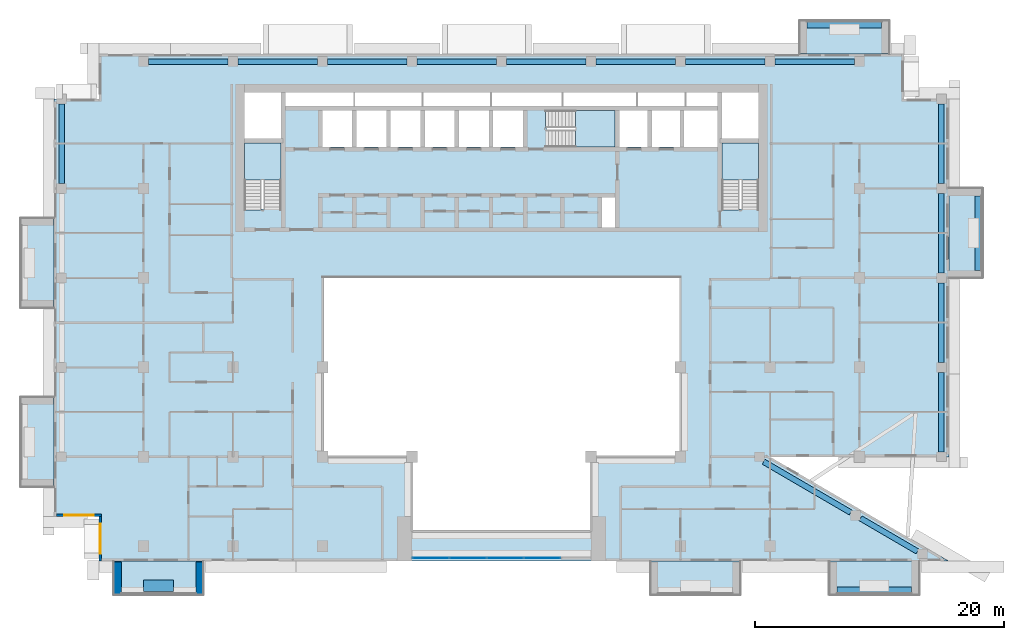
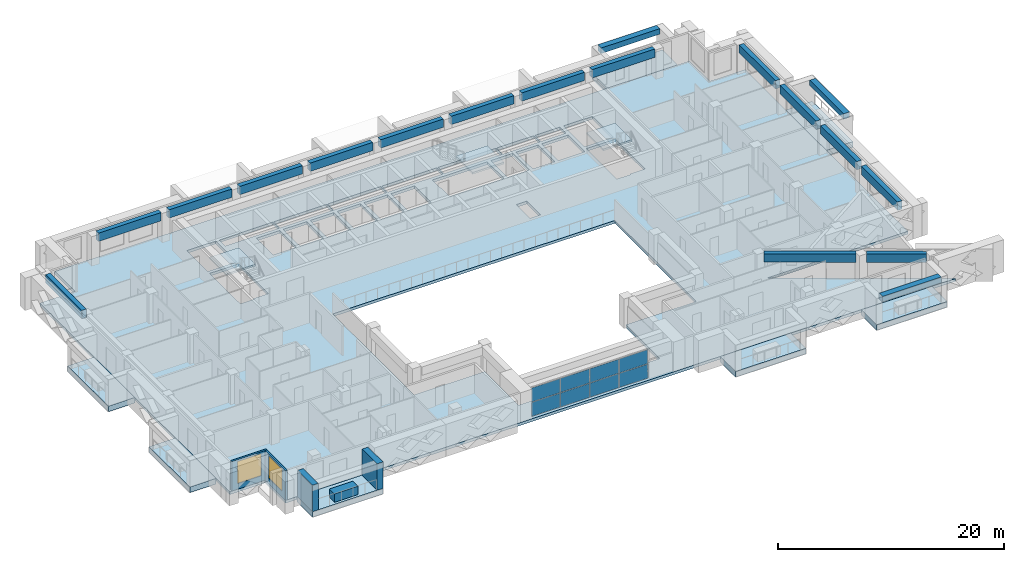
# One storey, part 5 of 20: 18 beams, 11 slabs, 8 plates, 5 walls, 2 windows, 2 openings, 4 elements without a shape of their own.
"""IFC4 building model written with IfcOpenShell, lengths in metres."""

from ifc_helpers import new_model, si_unit, direction, frame, frame_2d, origin, origin_2d, place, context, subcontext, project, spatial, polyline, rectangle, outline, extrude, source, transform, mapped, material, layer, layer_set, material_profile, profile_set, type_object, element, fill, aggregate, save


model = new_model("IFC4")

# Units and contexts
model_context = context("Model", 3, precision=1e-05, world=origin(), true_north=direction((0.0, 1.0)))
body_context = subcontext(model_context, "Body", "Model", "MODEL_VIEW")
ifc_project = project(units=[si_unit("LENGTHUNIT", "METRE"), si_unit("AREAUNIT", "SQUARE_METRE"), si_unit("VOLUMEUNIT", "CUBIC_METRE"), si_unit("PLANEANGLEUNIT", "RADIAN"), si_unit("MASSUNIT", "GRAM", prefix="KILO")], contexts=[model_context])

# Site, building, storey
site_placement = place(None, origin())
site = spatial("IfcSite", under=ifc_project, at=site_placement, CompositionType="ELEMENT")
building_placement = place(site_placement, origin())
building = spatial("IfcBuilding", under=site, at=building_placement, Name="Saffron Iwan Residences", CompositionType="ELEMENT")
storey_placement = place(building_placement, frame((0.0, 0.0, 192.0)))
storey = spatial("IfcBuildingStorey", under=building, at=storey_placement, Name="L51", CompositionType="ELEMENT", Elevation=192.0)

# Beams
ifc_material_1 = material(Name="Concrete C50/60", Category="concrete")
ifc_material_profile_1 = material_profile(ifc_material_1, rectangle(XDim=0.449951171875, YDim=0.89990234375, at=origin_2d()), Name="RC 450x900")
ifc_profile_set_1 = profile_set([ifc_material_profile_1], Name="Concrete C50/60")
beam_type_1 = type_object("IfcBeamType", Name="SPANDREL BEAM RC 450x900 C50/60 TOP 3200", PredefinedType="SPANDREL", material=ifc_profile_set_1)
shared_shape_1 = source(origin(), body_context, "Body", "SweptSolid", [
    extrude(rectangle(XDim=0.449951171875, YDim=0.89990234375, at=origin_2d()), origin(), (0.0, 0.0, 1.0), 5.300537109375),
])
beam_1_placement = place(storey_placement, frame((79.297607421875, 43.04833984375, 2.75), z_axis=(0.86379560586, -0.503842387357, 0.0), x_axis=(0.503842387357, 0.86379560586, 0.0)))
element("IfcBeam", 1, at=beam_1_placement, inside=storey, type_object=beam_type_1, Name="Spandrel beam", PredefinedType="SPANDREL", context=body_context, shape_type="MappedRepresentation", body=[
    mapped(shared_shape_1, transform((0.0, 0.0, 0.0))),
])
shared_shape_2 = source(origin(), body_context, "Body", "SweptSolid", [
    extrude(rectangle(XDim=0.449951171875, YDim=0.89990234375, at=origin_2d()), origin(), (0.0, 0.0, 1.0), 8.107177734375),
])
beam_2_placement = place(storey_placement, frame((71.494873046875, 47.60009765625, 2.75), z_axis=(0.863783269703, -0.503863536071, 0.0), x_axis=(0.503863536071, 0.863783269703, 0.0)))
element("IfcBeam", 2, at=beam_2_placement, inside=storey, type_object=beam_type_1, Name="Spandrel beam", PredefinedType="SPANDREL", context=body_context, shape_type="MappedRepresentation", body=[
    mapped(shared_shape_2, transform((0.0, 0.0, 0.0))),
])
shared_shape_3 = source(origin(), body_context, "Body", "SweptSolid", [
    extrude(rectangle(XDim=0.449951171875, YDim=0.89990234375, at=origin_2d()), origin(), (0.0, 0.0, 1.0), 6.400146484375),
])
for number, where, z_axis, x_axis, name in (
    (3, (85.800048828125, 54.800048828125, 2.75), (0.0, -1.0, 0.0), (1.0, 0.0, 0.0), "Spandrel beam"),
    (4, (29.199951171875, 79.800048828125, 2.75), (1.0, 0.0, 0.0), (0.0, 1.0, 0.0), "Spandrel beam"),
    (5, (36.39990234375, 79.800048828125, 2.75), (1.0, 0.0, 0.0), (0.0, 1.0, 0.0), "Spandrel beam"),
    (6, (65.199951171875, 79.800048828125, 2.75), (1.0, 0.0, 0.0), (0.0, 1.0, 0.0), "Spandrel beam"),
    (7, (72.39990234375, 79.800048828125, 2.75), (1.0, 0.0, 0.0), (0.0, 1.0, 0.0), "Spandrel beam"),
):
    element("IfcBeam", number, at=place(storey_placement, frame(where, z_axis=z_axis, x_axis=x_axis)), inside=storey, type_object=beam_type_1, Name=name, PredefinedType="SPANDREL", context=body_context, shape_type="MappedRepresentation", body=[
        mapped(shared_shape_3, transform((0.0, 0.0, 0.0))),
    ])
shared_shape_4 = source(origin(), body_context, "Body", "SweptSolid", [
    extrude(rectangle(XDim=0.449951171875, YDim=0.89990234375, at=origin_2d()), origin(), (0.0, 0.0, 1.0), 6.39990234375),
])
for number, where, z_axis, x_axis, name in (
    (8, (85.800048828125, 62.0, 2.75), (0.0, -1.0, 0.0), (1.0, 0.0, 0.0), "Spandrel beam"),
    (9, (85.800048828125, 69.199951171875, 2.75), (0.0, -1.0, 0.0), (1.0, 0.0, 0.0), "Spandrel beam"),
    (10, (15.0, 70.0, 2.75), (0.0, 1.0, 0.0), (-1.0, 0.0, 0.0), "Spandrel beam"),
    (11, (85.800048828125, 76.39990234375, 2.75), (0.0, -1.0, 0.0), (1.0, 0.0, 0.0), "Spandrel beam"),
    (12, (22.0, 79.800048828125, 2.75), (1.0, 0.0, 0.0), (0.0, 1.0, 0.0), "Spandrel beam"),
    (13, (43.60009765625, 79.800048828125, 2.75), (1.0, 0.0, 0.0), (0.0, 1.0, 0.0), "Spandrel beam"),
    (14, (50.800048828125, 79.800048828125, 2.75), (1.0, 0.0, 0.0), (0.0, 1.0, 0.0), "Spandrel beam"),
    (15, (58.0, 79.800048828125, 2.75), (1.0, 0.0, 0.0), (0.0, 1.0, 0.0), "Spandrel beam"),
):
    element("IfcBeam", number, at=place(storey_placement, frame(where, z_axis=z_axis, x_axis=x_axis)), inside=storey, type_object=beam_type_1, Name=name, PredefinedType="SPANDREL", context=body_context, shape_type="MappedRepresentation", body=[
        mapped(shared_shape_4, transform((0.0, 0.0, 0.0))),
    ])
ifc_material_2 = material(Name="Concrete C50/60 white painted", Category="concrete")
ifc_material_profile_2 = material_profile(ifc_material_2, rectangle(XDim=0.60009765625, YDim=0.60009765625, at=origin_2d()), Name="BALCONY FASCIA BEAM 600 x 600")
ifc_profile_set_2 = profile_set([ifc_material_profile_2], Name="Concrete C50/60 white painted")
beam_type_2 = type_object("IfcBeamType", Name="BALCONY FASCIA BEAM 600 x 600", PredefinedType="BEAM", material=ifc_profile_set_2)
shared_shape_5 = source(origin(), body_context, "Body", "SweptSolid", [
    extrude(rectangle(XDim=0.60009765625, YDim=0.60009765625, at=origin_2d()), origin(), (0.0, 0.0, 1.0), 6.0),
])
for number, where, z_axis, x_axis, name in (
    (16, (88.800048828125, 63.0, 2.550048828125), (0.0, 1.0, 0.0), (-1.0, 0.0, 0.0), "Balcony fascia beam L51 F2-0"),
    (17, (81.0, 82.800048828125, 2.550048828125), (-1.0, 0.0, 0.0), (0.0, -1.0, 0.0), "Balcony fascia beam L51 F5-0"),
    (18, (77.39990234375, 37.199951171875, 2.550048828125), (1.0, 0.0, 0.0), (0.0, 1.0, 0.0), "Balcony fascia beam L51 11-3"),
):
    element("IfcBeam", number, at=place(storey_placement, frame(where, z_axis=z_axis, x_axis=x_axis)), inside=storey, type_object=beam_type_2, Name=name, PredefinedType="BEAM", context=body_context, shape_type="MappedRepresentation", body=[
        mapped(shared_shape_5, transform((0.0, 0.0, 0.0))),
    ])

# Slabs
ifc_layer_1 = layer(ifc_material_2, 0.60009765625)
ifc_layer_set_1 = layer_set([ifc_layer_1], Name="Concrete C50/60 white painted")
slab_type_1 = type_object("IfcSlabType", Name="BALCONY FRAME SLAB 600", PredefinedType="FLOOR", material=ifc_layer_set_1)
slab_1_placement = place(storey_placement, frame((0.0, 0.0, -0.60009765625)))
element("IfcSlab", 19, at=slab_1_placement, inside=storey, type_object=slab_type_1, Name="Balcony frame slab L51 F2-0", PredefinedType="FLOOR", context=body_context, shape_type="SweptSolid", body=[
    extrude(outline(polyline([(89.10009765625, 62.39990234375), (89.10009765625, 69.60009765625), (86.39990234375, 69.60009765625), (86.39990234375, 62.39990234375), (89.10009765625, 62.39990234375)])), origin(), (0.0, 0.0, 1.0), 0.60009765625),
])
slab_2_placement = place(storey_placement, frame((0.0, 0.0, -0.60009765625)))
element("IfcSlab", 20, at=slab_2_placement, inside=storey, type_object=slab_type_1, Name="Balcony frame slab L51 F5-0", PredefinedType="FLOOR", context=body_context, shape_type="SweptSolid", body=[
    extrude(outline(polyline([(81.60009765625, 83.10009765625), (74.39990234375, 83.10009765625), (74.39990234375, 80.39990234375), (81.60009765625, 80.39990234375), (81.60009765625, 83.10009765625)])), origin(), (0.0, 0.0, 1.0), 0.60009765625),
])
slab_3_placement = place(storey_placement, frame((0.0, 0.0, -0.60009765625)))
element("IfcSlab", 21, at=slab_3_placement, inside=storey, type_object=slab_type_1, Name="Balcony frame slab L51 F8-0", PredefinedType="FLOOR", context=body_context, shape_type="SweptSolid", body=[
    extrude(outline(polyline([(11.699951171875, 67.199951171875), (11.699951171875, 60.0), (14.39990234375, 60.0), (14.39990234375, 67.199951171875), (11.699951171875, 67.199951171875)])), origin(), (0.0, 0.0, 1.0), 0.60009765625),
])
slab_4_placement = place(storey_placement, frame((0.0, 0.0, -0.60009765625)))
element("IfcSlab", 22, at=slab_4_placement, inside=storey, type_object=slab_type_1, Name="Balcony frame slab L51 F8-1", PredefinedType="FLOOR", context=body_context, shape_type="SweptSolid", body=[
    extrude(outline(polyline([(11.699951171875, 52.800048828125), (11.699951171875, 45.60009765625), (14.39990234375, 45.60009765625), (14.39990234375, 52.800048828125), (11.699951171875, 52.800048828125)])), origin(), (0.0, 0.0, 1.0), 0.60009765625),
])
slab_5_placement = place(storey_placement, frame((0.0, 0.0, -0.60009765625)))
element("IfcSlab", 23, at=slab_5_placement, inside=storey, type_object=slab_type_1, Name="Balcony frame slab L51 11-0", PredefinedType="FLOOR", context=body_context, shape_type="SweptSolid", body=[
    extrude(outline(polyline([(19.199951171875, 36.89990234375), (26.39990234375, 36.89990234375), (26.39990234375, 39.60009765625), (19.199951171875, 39.60009765625), (19.199951171875, 36.89990234375)])), origin(), (0.0, 0.0, 1.0), 0.60009765625),
])
slab_6_placement = place(storey_placement, frame((0.0, 0.0, -0.60009765625)))
element("IfcSlab", 24, at=slab_6_placement, inside=storey, type_object=slab_type_1, Name="Balcony frame slab L51 11-2", PredefinedType="FLOOR", context=body_context, shape_type="SweptSolid", body=[
    extrude(outline(polyline([(62.39990234375, 36.89990234375), (69.60009765625, 36.89990234375), (69.60009765625, 39.60009765625), (62.39990234375, 39.60009765625), (62.39990234375, 36.89990234375)])), origin(), (0.0, 0.0, 1.0), 0.60009765625),
])
slab_7_placement = place(storey_placement, frame((0.0, 0.0, -0.60009765625)))
element("IfcSlab", 25, at=slab_7_placement, inside=storey, type_object=slab_type_1, Name="Balcony frame slab L51 11-3", PredefinedType="FLOOR", context=body_context, shape_type="SweptSolid", body=[
    extrude(outline(polyline([(76.800048828125, 36.89990234375), (84.0, 36.89990234375), (84.0, 39.60009765625), (76.800048828125, 39.60009765625), (76.800048828125, 36.89990234375)])), origin(), (0.0, 0.0, 1.0), 0.60009765625),
])
ifc_material_3 = material(Name="Concrete C40/50", Category="concrete")
ifc_layer_2 = layer(ifc_material_3, 0.300048828125)
ifc_layer_set_2 = layer_set([ifc_layer_2], Name="Concrete C40/50")
slab_type_2 = type_object("IfcSlabType", Name="PT PLATE 300 C40/50", PredefinedType="FLOOR", material=ifc_layer_set_2)
slab_8_placement = place(storey_placement, frame((0.0, 0.0, -0.300048828125)))
element("IfcSlab", 26, at=slab_8_placement, inside=storey, type_object=slab_type_2, Name="Floor slab L51", PredefinedType="FLOOR", context=body_context, shape_type="SweptSolid", body=[
    extrude(outline(polyline([(14.39990234375, 43.199951171875), (14.39990234375, 76.800048828125), (18.0, 76.800048828125), (18.0, 80.39990234375), (82.800048828125, 80.39990234375), (82.800048828125, 76.800048828125), (86.39990234375, 76.800048828125), (86.39990234375, 48.0), (72.0, 48.0), (86.39990234375, 39.60009765625), (18.0, 39.60009765625), (18.0, 43.199951171875), (14.39990234375, 43.199951171875)]), holes=[polyline([(64.800048828125, 48.0), (64.800048828125, 62.39990234375), (36.0, 62.39990234375), (36.0, 48.0), (43.199951171875, 48.0), (43.199951171875, 42.0), (57.60009765625, 42.0), (57.60009765625, 48.0), (64.800048828125, 48.0)]), polyline([(29.699951171875, 73.25), (29.699951171875, 67.949951171875), (29.699951171875, 67.8505859375), (31.10009765625, 67.8505859375), (31.10009765625, 67.949951171875), (32.64990234375, 67.949951171875), (32.64990234375, 73.25), (29.699951171875, 73.25)]), polyline([(38.375, 75.875), (35.97509765625, 75.875), (35.97509765625, 72.925048828125), (38.375, 72.925048828125), (38.375, 75.875)]), polyline([(41.125, 75.875), (38.72509765625, 75.875), (38.72509765625, 72.925048828125), (41.125, 72.925048828125), (41.125, 75.875)]), polyline([(43.875, 72.925048828125), (43.875, 75.875), (41.47509765625, 75.875), (41.47509765625, 72.925048828125), (43.875, 72.925048828125)]), polyline([(46.625, 72.925048828125), (46.625, 75.875), (44.22509765625, 75.875), (44.22509765625, 72.925048828125), (46.625, 72.925048828125)]), polyline([(49.375, 75.875), (46.97509765625, 75.875), (46.97509765625, 72.925048828125), (49.375, 72.925048828125), (49.375, 75.875)]), polyline([(52.125, 72.925048828125), (52.125, 75.875), (49.72509765625, 75.875), (49.72509765625, 72.925048828125), (52.125, 72.925048828125)]), polyline([(32.64990234375, 73.60009765625), (32.64990234375, 77.300048828125), (29.699951171875, 77.300048828125), (29.699951171875, 73.60009765625), (32.64990234375, 73.60009765625)]), polyline([(38.5, 77.300048828125), (33.0, 77.300048828125), (33.0, 76.22509765625), (38.5, 76.22509765625), (38.5, 77.300048828125)]), polyline([(44.0, 76.22509765625), (44.0, 77.300048828125), (38.60009765625, 77.300048828125), (38.60009765625, 76.22509765625), (44.0, 76.22509765625)]), polyline([(49.5, 76.22509765625), (49.5, 77.300048828125), (44.10009765625, 77.300048828125), (44.10009765625, 76.22509765625), (49.5, 76.22509765625)]), polyline([(59.550048828125, 68.875), (58.47509765625, 68.875), (58.47509765625, 66.449951171875), (59.550048828125, 66.449951171875), (59.550048828125, 68.875)]), polyline([(68.14990234375, 73.25), (68.14990234375, 67.949951171875), (68.14990234375, 67.8505859375), (69.550048828125, 67.8505859375), (69.550048828125, 67.949951171875), (71.10009765625, 67.949951171875), (71.10009765625, 73.25), (68.14990234375, 73.25)]), polyline([(54.02490234375, 74.47509765625), (54.02490234375, 72.925048828125), (59.550048828125, 72.925048828125), (59.550048828125, 75.875), (54.02490234375, 75.875), (53.925537109375, 75.875), (53.925537109375, 74.47509765625), (54.02490234375, 74.47509765625)]), polyline([(62.14990234375, 72.925048828125), (62.14990234375, 75.875), (59.89990234375, 75.875), (59.89990234375, 72.925048828125), (62.14990234375, 72.925048828125)]), polyline([(64.75, 72.925048828125), (64.75, 75.875), (62.5, 75.875), (62.5, 72.925048828125), (64.75, 72.925048828125)]), polyline([(67.800048828125, 75.875), (65.10009765625, 75.875), (65.10009765625, 72.925048828125), (67.800048828125, 72.925048828125), (67.800048828125, 75.875)]), polyline([(71.10009765625, 73.60009765625), (71.10009765625, 77.300048828125), (68.14990234375, 77.300048828125), (68.14990234375, 73.60009765625), (71.10009765625, 73.60009765625)]), polyline([(55.25, 76.22509765625), (55.25, 77.300048828125), (49.60009765625, 77.300048828125), (49.60009765625, 76.22509765625), (55.25, 76.22509765625)]), polyline([(61.25, 77.300048828125), (55.35009765625, 77.300048828125), (55.35009765625, 76.22509765625), (61.25, 76.22509765625), (61.25, 77.300048828125)]), polyline([(65.14990234375, 76.22509765625), (65.14990234375, 77.300048828125), (61.35009765625, 77.300048828125), (61.35009765625, 76.22509765625), (65.14990234375, 76.22509765625)]), polyline([(67.800048828125, 76.22509765625), (67.800048828125, 77.300048828125), (65.25, 77.300048828125), (65.25, 76.22509765625), (67.800048828125, 76.22509765625)])]), origin(), (0.0, 0.0, 1.0), 0.300048828125),
])

# Stair, slab
stair_type = type_object("IfcStairType", Name="Stair ST-CORE", PredefinedType="HALF_TURN_STAIR", material=ifc_material_1)
stair_1_placement = place(storey_placement, origin())
stair_1 = element("IfcStair", 27, at=stair_1_placement, inside=storey, type_object=stair_type, Name="L51 Exit Stair ST-W", PredefinedType="HALF_TURN_STAIR")
ifc_layer_3 = layer(ifc_material_1, 0.199951171875)
ifc_layer_set_3 = layer_set([ifc_layer_3], Name="Concrete C50/60")
slab_type_3 = type_object("IfcSlabType", Name="Stair landing SL-RC", PredefinedType="LANDING", material=ifc_layer_set_3)
slab_9_placement = place(storey_placement, frame((0.0, 0.0, 1.5498046875)))
slab_9 = element("IfcSlab", 28, at=slab_9_placement, type_object=slab_type_3, Name="ST-W landing 1", PredefinedType="LANDING", context=body_context, shape_type="SweptSolid", body=[
    extrude(outline(polyline([(32.64990234375, 70.280029296875), (32.64990234375, 73.25), (29.699951171875, 73.25), (29.699951171875, 70.280029296875), (32.64990234375, 70.280029296875)])), origin(), (0.0, 0.0, 1.0), 0.2001953125),
])
aggregate(stair_1, [slab_9])

stair_2_placement = place(storey_placement, origin())
stair_2 = element("IfcStair", 29, at=stair_2_placement, inside=storey, type_object=stair_type, Name="L51 Exit Stair ST-C", PredefinedType="HALF_TURN_STAIR")
slab_10_placement = place(storey_placement, frame((0.0, 0.0, 1.5498046875)))
slab_10 = element("IfcSlab", 30, at=slab_10_placement, type_object=slab_type_3, Name="ST-C landing 1", PredefinedType="LANDING", context=body_context, shape_type="SweptSolid", body=[
    extrude(outline(polyline([(56.35498046875, 72.925048828125), (59.550048828125, 72.925048828125), (59.550048828125, 75.875), (56.35498046875, 75.875), (56.35498046875, 72.925048828125)])), origin(), (0.0, 0.0, 1.0), 0.2001953125),
])
aggregate(stair_2, [slab_10])

stair_3_placement = place(storey_placement, origin())
stair_3 = element("IfcStair", 31, at=stair_3_placement, inside=storey, type_object=stair_type, Name="L51 Exit Stair ST-E", PredefinedType="HALF_TURN_STAIR")
slab_11_placement = place(storey_placement, frame((0.0, 0.0, 1.5498046875)))
slab_11 = element("IfcSlab", 32, at=slab_11_placement, type_object=slab_type_3, Name="ST-E landing 1", PredefinedType="LANDING", context=body_context, shape_type="SweptSolid", body=[
    extrude(outline(polyline([(71.10009765625, 70.280029296875), (71.10009765625, 73.25), (68.14990234375, 73.25), (68.14990234375, 70.280029296875), (71.10009765625, 70.280029296875)])), origin(), (0.0, 0.0, 1.0), 0.2001953125),
])
aggregate(stair_3, [slab_11])

# Curtain wall, plates
ifc_material_4 = material(Name="Clear glass, laminated double glazed", Category="glass")
ifc_layer_4 = layer(ifc_material_4, 0.199951171875)
ifc_layer_set_4 = layer_set([ifc_layer_4], Name="Clear glass, laminated double glazed")
curtain_wall_type = type_object("IfcCurtainWallType", Name="CW-B IWAN PORTAL", PredefinedType="NOTDEFINED", material=ifc_layer_set_4)
curtain_wall_placement = place(storey_placement, origin())
curtain_wall = element("IfcCurtainWall", 33, at=curtain_wall_placement, inside=storey, type_object=curtain_wall_type, Name="Iwan portal glazing L51.1", PredefinedType="NOTDEFINED")
ifc_layer_5 = layer(ifc_material_4, 0.028076171875)
ifc_layer_set_5 = layer_set([ifc_layer_5], Name="Clear glass, laminated double glazed")
plate_type = type_object("IfcPlateType", Name="CW-B PANEL 28", PredefinedType="CURTAIN_PANEL", material=ifc_layer_set_5)
shared_shape_6 = source(origin(), body_context, "Body", "SweptSolid", [
    extrude(rectangle(XDim=2.909912109375, YDim=0.028076171875, at=origin_2d()), origin(), (0.0, 0.0, 1.0), 1.510009765625),
])
plate_1_placement = place(storey_placement, frame((44.715087890625, 39.85009765625, 0.06005859375), z_axis=(0.0, 0.0, 1.0), x_axis=(1.0, 0.0, 0.0)))
plate_1 = element("IfcPlate", 34, at=plate_1_placement, type_object=plate_type, Name="CW-B panel 1.1", PredefinedType="CURTAIN_PANEL", context=body_context, shape_type="MappedRepresentation", body=[
    mapped(shared_shape_6, transform((0.0, 0.0, 0.0))),
])
plate_2_placement = place(storey_placement, frame((44.715087890625, 39.85009765625, 1.6298828125), z_axis=(0.0, 0.0, 1.0), x_axis=(1.0, 0.0, 0.0)))
plate_2 = element("IfcPlate", 35, at=plate_2_placement, type_object=plate_type, Name="CW-B panel 1.2", PredefinedType="CURTAIN_PANEL", context=body_context, shape_type="MappedRepresentation", body=[
    mapped(shared_shape_6, transform((0.0, 0.0, 0.0))),
])
plate_3_placement = place(storey_placement, frame((53.68505859375, 39.85009765625, 0.06005859375), z_axis=(0.0, 0.0, 1.0), x_axis=(1.0, 0.0, 0.0)))
plate_3 = element("IfcPlate", 36, at=plate_3_placement, type_object=plate_type, Name="CW-B panel 4.1", PredefinedType="CURTAIN_PANEL", context=body_context, shape_type="MappedRepresentation", body=[
    mapped(shared_shape_6, transform((0.0, 0.0, 0.0))),
])
plate_4_placement = place(storey_placement, frame((53.68505859375, 39.85009765625, 1.6298828125), z_axis=(0.0, 0.0, 1.0), x_axis=(1.0, 0.0, 0.0)))
plate_4 = element("IfcPlate", 37, at=plate_4_placement, type_object=plate_type, Name="CW-B panel 4.2", PredefinedType="CURTAIN_PANEL", context=body_context, shape_type="MappedRepresentation", body=[
    mapped(shared_shape_6, transform((0.0, 0.0, 0.0))),
])
shared_shape_7 = source(origin(), body_context, "Body", "SweptSolid", [
    extrude(rectangle(XDim=2.93994140625, YDim=0.028076171875, at=origin_2d()), origin(), (0.0, 0.0, 1.0), 1.510009765625),
])
plate_5_placement = place(storey_placement, frame((47.699951171875, 39.85009765625, 0.06005859375), z_axis=(0.0, 0.0, 1.0), x_axis=(1.0, 0.0, 0.0)))
plate_5 = element("IfcPlate", 38, at=plate_5_placement, type_object=plate_type, Name="CW-B panel 2.1", PredefinedType="CURTAIN_PANEL", context=body_context, shape_type="MappedRepresentation", body=[
    mapped(shared_shape_7, transform((0.0, 0.0, 0.0))),
])
plate_6_placement = place(storey_placement, frame((47.699951171875, 39.85009765625, 1.6298828125), z_axis=(0.0, 0.0, 1.0), x_axis=(1.0, 0.0, 0.0)))
plate_6 = element("IfcPlate", 39, at=plate_6_placement, type_object=plate_type, Name="CW-B panel 2.2", PredefinedType="CURTAIN_PANEL", context=body_context, shape_type="MappedRepresentation", body=[
    mapped(shared_shape_7, transform((0.0, 0.0, 0.0))),
])
plate_7_placement = place(storey_placement, frame((50.699951171875, 39.85009765625, 0.06005859375), z_axis=(0.0, 0.0, 1.0), x_axis=(1.0, 0.0, 0.0)))
plate_7 = element("IfcPlate", 40, at=plate_7_placement, type_object=plate_type, Name="CW-B panel 3.1", PredefinedType="CURTAIN_PANEL", context=body_context, shape_type="MappedRepresentation", body=[
    mapped(shared_shape_7, transform((0.0, 0.0, 0.0))),
])
plate_8_placement = place(storey_placement, frame((50.699951171875, 39.85009765625, 1.6298828125), z_axis=(0.0, 0.0, 1.0), x_axis=(1.0, 0.0, 0.0)))
plate_8 = element("IfcPlate", 41, at=plate_8_placement, type_object=plate_type, Name="CW-B panel 3.2", PredefinedType="CURTAIN_PANEL", context=body_context, shape_type="MappedRepresentation", body=[
    mapped(shared_shape_7, transform((0.0, 0.0, 0.0))),
])
aggregate(curtain_wall, [plate_1, plate_2, plate_5, plate_6, plate_7, plate_8, plate_3, plate_4])

# Walls
ifc_layer_6 = layer(ifc_material_2, 0.60009765625)
ifc_layer_set_6 = layer_set([ifc_layer_6], Name="Concrete C50/60 white painted")
wall_type_1 = type_object("IfcWallType", Name="BALCONY FIN 600", PredefinedType="SOLIDWALL", material=ifc_layer_set_6)
for number, where, z_axis, x_axis, name in (
    (42, (19.5, 39.550048828125, 0.0), (0.0, 0.0, 1.0), (0.0, -1.0, 0.0), "Balcony fin L51 11-0a"),
    (43, (26.10009765625, 39.550048828125, 0.0), (0.0, 0.0, 1.0), (0.0, -1.0, 0.0), "Balcony fin L51 11-0b"),
):
    element("IfcWall", number, at=place(storey_placement, frame(where, z_axis=z_axis, x_axis=x_axis)), inside=storey, type_object=wall_type_1, Name=name, PredefinedType="SOLIDWALL", context=body_context, shape_type="SweptSolid", body=[
        extrude(rectangle(XDim=2.650146484375, YDim=0.60009765625, at=frame_2d((1.3251953125, 0.0))), origin(), (0.0, 0.0, 1.0), 2.85009765625),
    ])
ifc_material_5 = material(Name="Concrete C35/45 white painted", Category="concrete")
ifc_layer_7 = layer(ifc_material_5, 0.14990234375)
ifc_layer_set_7 = layer_set([ifc_layer_7], Name="Concrete C35/45 white painted")
wall_type_2 = type_object("IfcWallType", Name="BALCONY PLANTER", PredefinedType="SOLIDWALL", material=ifc_layer_set_7)
wall_1_placement = place(storey_placement, frame((21.60009765625, 37.625, 0.0), z_axis=(0.0, 0.0, 1.0), x_axis=(1.0, 0.0, 0.0)))
element("IfcWall", 44, at=wall_1_placement, inside=storey, type_object=wall_type_2, Name="PLANTER L51 11-0", PredefinedType="SOLIDWALL", context=body_context, shape_type="SweptSolid", body=[
    extrude(rectangle(XDim=2.39990234375, YDim=0.89990234375, at=frame_2d((1.199951171875, 0.0))), origin(), (0.0, 0.0, 1.0), 0.89990234375),
])

# Wall, opening, window
ifc_layer_8 = layer(ifc_material_3, 0.199951171875)
ifc_layer_set_8 = layer_set([ifc_layer_8], Name="Concrete C40/50")
wall_type_3 = type_object("IfcWallType", Name="EXTERNAL WALL 200", PredefinedType="SOLIDWALL", material=ifc_layer_set_8)
wall_2_placement = place(storey_placement, frame((14.60009765625, 43.300048828125, 0.0), z_axis=(0.0, 0.0, 1.0), x_axis=(1.0, 0.0, 0.0)))
wall_2 = element("IfcWall", 45, at=wall_2_placement, inside=storey, type_object=wall_type_3, Name="External wall L51 F9.0", PredefinedType="SOLIDWALL", context=body_context, shape_type="SweptSolid", body=[
    extrude(rectangle(XDim=3.599853515625, YDim=0.199951171875, at=frame_2d((1.7998046875, 0.0))), origin(), (0.0, 0.0, 1.0), 3.199951171875),
])
opening_1_placement = place(wall_2_placement, frame((0.60009765625, 0.0, 0.60009765625)))
opening_1 = element("IfcOpeningElement", 46, at=opening_1_placement, cuts=wall_2, Name="Opening W1", PredefinedType="OPENING", context=body_context, shape_type="SweptSolid", body=[
    extrude(rectangle(XDim=2.39990234375, YDim=2.39990234375, at=frame_2d((1.199951171875, 1.199951171875))), frame((0.0, 0.10986328125, 0.0), z_axis=(0.0, -1.0, 0.0), x_axis=(1.0, 0.0, 0.0)), (0.0, 0.0, 1.0), 0.219970703125),
])
window_type = type_object("IfcWindowType", Name="WINDOW 2400 x 2400", PartitioningType="DOUBLE_PANEL_VERTICAL", PredefinedType="WINDOW", material=ifc_material_4)
window_1_placement = place(opening_1_placement, origin())
window_1 = element("IfcWindow", 47, at=window_1_placement, inside=storey, type_object=window_type, Name="Window L51 F9.0", OverallHeight=2.39990234375, OverallWidth=2.39990234375, PartitioningType="DOUBLE_PANEL_VERTICAL", PredefinedType="WINDOW", context=body_context, shape_type="SweptSolid", body=[
    extrude(rectangle(XDim=2.39990234375, YDim=2.39990234375, at=frame_2d((1.199951171875, 1.199951171875))), frame((0.0, 0.030029296875, 0.0), z_axis=(0.0, -1.0, 0.0), x_axis=(1.0, 0.0, 0.0)), (0.0, 0.0, 1.0), 0.06005859375),
])
fill(opening_1, window_1)

wall_3_placement = place(storey_placement, frame((18.10009765625, 43.199951171875, 0.0), z_axis=(0.0, 0.0, 1.0), x_axis=(0.0, -1.0, 0.0)))
wall_3 = element("IfcWall", 48, at=wall_3_placement, inside=storey, type_object=wall_type_3, Name="External wall L51 F10.0", PredefinedType="SOLIDWALL", context=body_context, shape_type="SweptSolid", body=[
    extrude(rectangle(XDim=3.599853515625, YDim=0.199951171875, at=frame_2d((1.7998046875, 0.0))), origin(), (0.0, 0.0, 1.0), 3.199951171875),
])
opening_2_placement = place(wall_3_placement, frame((0.60009765625, 0.0, 0.60009765625)))
opening_2 = element("IfcOpeningElement", 49, at=opening_2_placement, cuts=wall_3, Name="Opening W1", PredefinedType="OPENING", context=body_context, shape_type="SweptSolid", body=[
    extrude(rectangle(XDim=2.39990234375, YDim=2.39990234375, at=frame_2d((1.199951171875, 1.199951171875))), frame((0.0, 0.10986328125, 0.0), z_axis=(0.0, -1.0, 0.0), x_axis=(1.0, 0.0, 0.0)), (0.0, 0.0, 1.0), 0.219970703125),
])
window_2_placement = place(opening_2_placement, origin())
window_2 = element("IfcWindow", 50, at=window_2_placement, inside=storey, type_object=window_type, Name="Window L51 F10.0", OverallHeight=2.39990234375, OverallWidth=2.39990234375, PartitioningType="DOUBLE_PANEL_VERTICAL", PredefinedType="WINDOW", context=body_context, shape_type="SweptSolid", body=[
    extrude(rectangle(XDim=2.39990234375, YDim=2.39990234375, at=frame_2d((1.199951171875, 1.199951171875))), frame((0.0, 0.030029296875, 0.0), z_axis=(0.0, -1.0, 0.0), x_axis=(1.0, 0.0, 0.0)), (0.0, 0.0, 1.0), 0.06005859375),
])
fill(opening_2, window_2)

save(model, "model.ifc")
